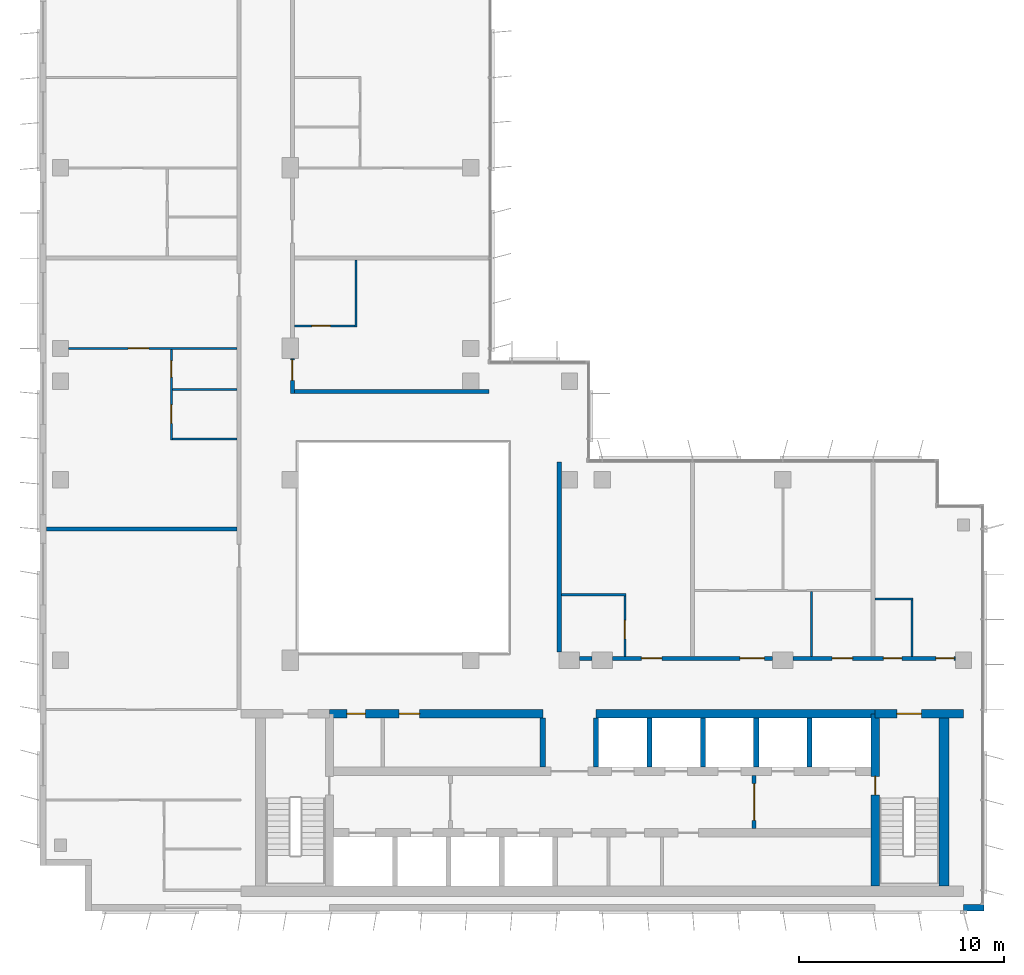
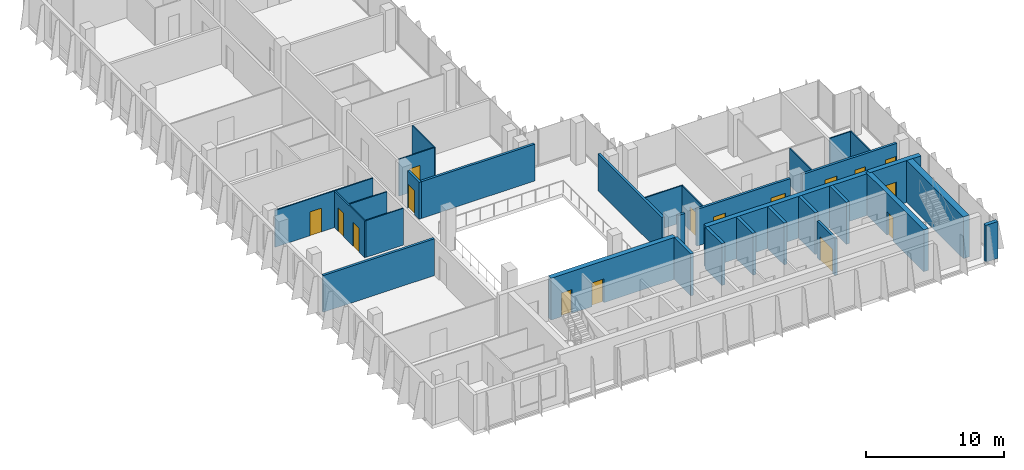
# One storey, part 10 of 15: 31 walls, 16 doors, 16 openings.
"""IFC4 building model written with IfcOpenShell, lengths in metres."""

from ifc_helpers import new_model, si_unit, direction, frame, frame_2d, origin, place, context, subcontext, project, spatial, rectangle, extrude, material, layer, layer_set, type_object, element, fill, save


model = new_model("IFC4")

# Units and contexts
model_context = context("Model", 3, precision=1e-05, world=origin(), true_north=direction((0.0, 1.0)))
body_context = subcontext(model_context, "Body", "Model", "MODEL_VIEW")
ifc_project = project(units=[si_unit("LENGTHUNIT", "METRE"), si_unit("AREAUNIT", "SQUARE_METRE"), si_unit("VOLUMEUNIT", "CUBIC_METRE"), si_unit("PLANEANGLEUNIT", "RADIAN"), si_unit("MASSUNIT", "GRAM", prefix="KILO")], contexts=[model_context])

# Site, building, storey
site_placement = place(None, origin())
site = spatial("IfcSite", under=ifc_project, at=site_placement, CompositionType="ELEMENT")
building_placement = place(site_placement, origin())
building = spatial("IfcBuilding", under=site, at=building_placement, Name="Kemantara Hotel Tower", CompositionType="ELEMENT")
storey_placement = place(building_placement, frame((0.0, 0.0, 305.5)))
storey = spatial("IfcBuildingStorey", under=building, at=storey_placement, Name="L77", CompositionType="ELEMENT", Elevation=305.5)

# Walls
ifc_material_1 = material(Name="Bronze anodised aluminium cladding on insulated steel stud wall", Category="steel")
ifc_layer_1 = layer(ifc_material_1, 0.300048828125)
ifc_layer_set_1 = layer_set([ifc_layer_1], Name="Bronze anodised aluminium cladding on insulated steel stud wall")
wall_type_1 = type_object("IfcWallType", Name="BRONZE METAL-CLAD EXTERNAL WALL 300", PredefinedType="STANDARD", material=ifc_layer_set_1)
wall_1_placement = place(storey_placement, frame((45.0, 0.14990234375, 0.0), z_axis=(0.0, 0.0, 1.0), x_axis=(1.0, 0.0, 0.0)))
element("IfcWall", 1, at=wall_1_placement, inside=storey, type_object=wall_type_1, Name="EXTERNAL WALL L77 T4-R08-3", PredefinedType="STANDARD", context=body_context, shape_type="SweptSolid", body=[
    extrude(rectangle(XDim=1.0, YDim=0.300048828125, at=frame_2d((0.5, 0.0))), origin(), (0.0, 0.0, 1.0), 3.25),
])
ifc_material_2 = material(Name="Concrete fc 50 MPa", Category="concrete")
ifc_layer_2 = layer(ifc_material_2, 0.25)
ifc_layer_set_2 = layer_set([ifc_layer_2], Name="Concrete fc 50 MPa")
wall_type_2 = type_object("IfcWallType", Name="CORE WALL 250 FC50", PredefinedType="SHEAR", material=ifc_layer_set_2)
for number, where, z_axis, x_axis, name in (
    (2, (24.5, 7.0, 0.0), (0.0, 0.0, 1.0), (0.0, 1.0, 0.0), "CORE WALL CW-DN24.5"),
    (3, (27.10009765625, 7.0, 0.0), (0.0, 0.0, 1.0), (0.0, 1.0, 0.0), "CORE WALL CW-DN27.1"),
    (4, (29.699951171875, 7.0, 0.0), (0.0, 0.0, 1.0), (0.0, 1.0, 0.0), "CORE WALL CW-DN29.7"),
    (5, (32.300048828125, 7.0, 0.0), (0.0, 0.0, 1.0), (0.0, 1.0, 0.0), "CORE WALL CW-DN32.3"),
    (6, (34.89990234375, 7.0, 0.0), (0.0, 0.0, 1.0), (0.0, 1.0, 0.0), "CORE WALL CW-DN34.9"),
    (7, (37.5, 7.0, 0.0), (0.0, 0.0, 1.0), (0.0, 1.0, 0.0), "CORE WALL CW-DN37.5"),
):
    element("IfcWall", number, at=place(storey_placement, frame(where, z_axis=z_axis, x_axis=x_axis)), inside=storey, type_object=wall_type_2, Name=name, PredefinedType="SHEAR", context=body_context, shape_type="SweptSolid", body=[
        extrude(rectangle(XDim=2.39990234375, YDim=0.25, at=frame_2d((1.199951171875, 0.0))), origin(), (0.0, 0.0, 1.0), 3.699951171875),
    ])

# Wall, opening, door
ifc_layer_3 = layer(ifc_material_2, 0.39990234375)
ifc_layer_set_3 = layer_set([ifc_layer_3], Name="Concrete fc 50 MPa")
wall_type_3 = type_object("IfcWallType", Name="CORE WALL 400 FC50", PredefinedType="SHEAR", material=ifc_layer_set_3)
wall_2_placement = place(storey_placement, frame((40.699951171875, 9.60009765625, 0.0), z_axis=(0.0, 0.0, 1.0), x_axis=(1.0, 0.0, 0.0)))
wall_2 = element("IfcWall", 8, at=wall_2_placement, inside=storey, type_object=wall_type_3, Name="CORE WALL CW-N2", PredefinedType="SHEAR", context=body_context, shape_type="SweptSolid", body=[
    extrude(rectangle(XDim=4.300048828125, YDim=0.39990234375, at=frame_2d((2.14990234375, 0.0))), origin(), (0.0, 0.0, 1.0), 3.699951171875),
])
opening_1_placement = place(wall_2_placement, frame((1.050048828125, 0.0, 0.0)))
opening_1 = element("IfcOpeningElement", 9, at=opening_1_placement, cuts=wall_2, Name="Opening C43-ST2-C", PredefinedType="OPENING", context=body_context, shape_type="SweptSolid", body=[
    extrude(rectangle(XDim=1.199951171875, YDim=2.10009765625, at=frame_2d((0.60009765625, 1.050048828125))), frame((0.0, 0.2099609375, 0.0), z_axis=(0.0, -1.0, 0.0), x_axis=(1.0, 0.0, 0.0)), (0.0, 0.0, 1.0), 0.419921875),
])
ifc_material_3 = material(Name="Steel fire door", Category="steel")
door_type_1 = type_object("IfcDoorType", Name="Fire door FD90 1200 x 2100", OperationType="NOTDEFINED", PredefinedType="DOOR", material=ifc_material_3)
door_1_placement = place(opening_1_placement, frame((1.199951171875, 0.0, 0.0), z_axis=(0.0, 0.0, 1.0), x_axis=(-1.0, 0.0, 0.0)))
door_1 = element("IfcDoor", 10, at=door_1_placement, inside=storey, type_object=door_type_1, Name="Stair ST2 door to corridor", OperationType="SINGLE_SWING_RIGHT", OverallHeight=2.10009765625, OverallWidth=1.199951171875, PredefinedType="DOOR", context=body_context, shape_type="SweptSolid", body=[
    extrude(rectangle(XDim=1.199951171875, YDim=2.10009765625, at=frame_2d((0.60009765625, 1.050048828125))), frame((0.0, 0.02490234375, 0.0), z_axis=(0.0, -1.0, 0.0), x_axis=(1.0, 0.0, 0.0)), (0.0, 0.0, 1.0), 0.050048828125),
])
fill(opening_1, door_1)

# Wall, openings, doors
wall_3_placement = place(storey_placement, frame((14.10009765625, 9.60009765625, 0.0), z_axis=(0.0, 0.0, 1.0), x_axis=(1.0, 0.0, 0.0)))
wall_3 = element("IfcWall", 11, at=wall_3_placement, inside=storey, type_object=wall_type_3, Name="CORE WALL CW-NN1", PredefinedType="SHEAR", context=body_context, shape_type="SweptSolid", body=[
    extrude(rectangle(XDim=10.39990234375, YDim=0.39990234375, at=frame_2d((5.199951171875, 0.0))), origin(), (0.0, 0.0, 1.0), 3.699951171875),
])
opening_2_placement = place(wall_3_placement, frame((0.85009765625, 0.0, 0.0)))
opening_2 = element("IfcOpeningElement", 12, at=opening_2_placement, cuts=wall_3, Name="Opening C43-R-NW1", PredefinedType="OPENING", context=body_context, shape_type="SweptSolid", body=[
    extrude(rectangle(XDim=0.89990234375, YDim=2.10009765625, at=frame_2d((0.449951171875, 1.050048828125))), frame((0.0, 0.2099609375, 0.0), z_axis=(0.0, -1.0, 0.0), x_axis=(1.0, 0.0, 0.0)), (0.0, 0.0, 1.0), 0.419921875),
])
opening_3_placement = place(wall_3_placement, frame((3.39990234375, 0.0, 0.0)))
opening_3 = element("IfcOpeningElement", 13, at=opening_3_placement, cuts=wall_3, Name="Opening C43-R-NW2", PredefinedType="OPENING", context=body_context, shape_type="SweptSolid", body=[
    extrude(rectangle(XDim=1.0, YDim=2.10009765625, at=frame_2d((0.5, 1.050048828125))), frame((0.0, 0.2099609375, 0.0), z_axis=(0.0, -1.0, 0.0), x_axis=(1.0, 0.0, 0.0)), (0.0, 0.0, 1.0), 0.419921875),
])
door_type_2 = type_object("IfcDoorType", Name="Fire door FD30S 1000 x 2100", OperationType="NOTDEFINED", PredefinedType="DOOR", material=ifc_material_3)
door_2_placement = place(opening_3_placement, frame((1.0, 0.0, 0.0), z_axis=(0.0, 0.0, 1.0), x_axis=(-1.0, 0.0, 0.0)))
door_2 = element("IfcDoor", 14, at=door_2_placement, inside=storey, type_object=door_type_2, Name="Housekeeping Store door", OperationType="SINGLE_SWING_RIGHT", OverallHeight=2.10009765625, OverallWidth=1.0, PredefinedType="DOOR", context=body_context, shape_type="SweptSolid", body=[
    extrude(rectangle(XDim=1.0, YDim=2.10009765625, at=frame_2d((0.5, 1.050048828125))), frame((0.0, 0.02490234375, 0.0), z_axis=(0.0, -1.0, 0.0), x_axis=(1.0, 0.0, 0.0)), (0.0, 0.0, 1.0), 0.050048828125),
])
fill(opening_3, door_2)
door_type_3 = type_object("IfcDoorType", Name="Fire door FD30S 900 x 2100", OperationType="NOTDEFINED", PredefinedType="DOOR", material=ifc_material_3)
door_3_placement = place(opening_2_placement, frame((0.89990234375, 0.0, 0.0), z_axis=(0.0, 0.0, 1.0), x_axis=(-1.0, 0.0, 0.0)))
door_3 = element("IfcDoor", 15, at=door_3_placement, inside=storey, type_object=door_type_3, Name="Staff Wc door", OperationType="SINGLE_SWING_RIGHT", OverallHeight=2.10009765625, OverallWidth=0.89990234375, PredefinedType="DOOR", context=body_context, shape_type="SweptSolid", body=[
    extrude(rectangle(XDim=0.89990234375, YDim=2.10009765625, at=frame_2d((0.449951171875, 1.050048828125))), frame((0.0, 0.02490234375, 0.0), z_axis=(0.0, -1.0, 0.0), x_axis=(1.0, 0.0, 0.0)), (0.0, 0.0, 1.0), 0.050048828125),
])
fill(opening_2, door_3)

# Wall
wall_4_placement = place(storey_placement, frame((27.10009765625, 9.60009765625, 0.0), z_axis=(0.0, 0.0, 1.0), x_axis=(1.0, 0.0, 0.0)))
element("IfcWall", 16, at=wall_4_placement, inside=storey, type_object=wall_type_3, Name="CORE WALL CW-NN2", PredefinedType="SHEAR", context=body_context, shape_type="SweptSolid", body=[
    extrude(rectangle(XDim=13.599853515625, YDim=0.39990234375, at=frame_2d((6.7998046875, 0.0))), origin(), (0.0, 0.0, 1.0), 3.699951171875),
])

# Wall, opening, door
wall_5_placement = place(storey_placement, frame((40.699951171875, 1.199951171875, 0.0), z_axis=(0.0, 0.0, 1.0), x_axis=(0.0, 1.0, 0.0)))
wall_5 = element("IfcWall", 17, at=wall_5_placement, inside=storey, type_object=wall_type_3, Name="CORE WALL CW-ST2W", PredefinedType="SHEAR", context=body_context, shape_type="SweptSolid", body=[
    extrude(rectangle(XDim=8.400146484375, YDim=0.39990234375, at=frame_2d((4.2001953125, 0.0))), origin(), (0.0, 0.0, 1.0), 3.699951171875),
])
opening_4_placement = place(wall_5_placement, frame((4.449951171875, 0.0, 0.0)))
opening_4 = element("IfcOpeningElement", 18, at=opening_4_placement, cuts=wall_5, Name="Opening C43-ST2-F", PredefinedType="OPENING", context=body_context, shape_type="SweptSolid", body=[
    extrude(rectangle(XDim=0.89990234375, YDim=2.10009765625, at=frame_2d((0.449951171875, 1.050048828125))), frame((0.0, 0.2099609375, 0.0), z_axis=(0.0, -1.0, 0.0), x_axis=(1.0, 0.0, 0.0)), (0.0, 0.0, 1.0), 0.419921875),
])
door_type_4 = type_object("IfcDoorType", Name="Fire door FD90 900 x 2100", OperationType="NOTDEFINED", PredefinedType="DOOR", material=ifc_material_3)
door_4_placement = place(opening_4_placement, frame((0.89990234375, 0.0, 0.0), z_axis=(0.0, 0.0, 1.0), x_axis=(-1.0, 0.0, 0.0)))
door_4 = element("IfcDoor", 19, at=door_4_placement, inside=storey, type_object=door_type_4, Name="Stair ST2 door to firefighting lobby", OperationType="SINGLE_SWING_LEFT", OverallHeight=2.10009765625, OverallWidth=0.89990234375, PredefinedType="DOOR", context=body_context, shape_type="SweptSolid", body=[
    extrude(rectangle(XDim=0.89990234375, YDim=2.10009765625, at=frame_2d((0.449951171875, 1.050048828125))), frame((0.0, 0.02490234375, 0.0), z_axis=(0.0, -1.0, 0.0), x_axis=(1.0, 0.0, 0.0)), (0.0, 0.0, 1.0), 0.050048828125),
])
fill(opening_4, door_4)

# Walls
ifc_layer_4 = layer(ifc_material_2, 0.5)
ifc_layer_set_4 = layer_set([ifc_layer_4], Name="Concrete fc 50 MPa")
wall_type_4 = type_object("IfcWallType", Name="CORE WALL 500 FC50", PredefinedType="SHEAR", material=ifc_layer_set_4)
wall_6_placement = place(storey_placement, frame((44.050048828125, 1.199951171875, 0.0), z_axis=(0.0, 0.0, 1.0), x_axis=(0.0, 1.0, 0.0)))
element("IfcWall", 20, at=wall_6_placement, inside=storey, type_object=wall_type_4, Name="CORE WALL CW-E", PredefinedType="SHEAR", context=body_context, shape_type="SweptSolid", body=[
    extrude(rectangle(XDim=8.60009765625, YDim=0.5, at=frame_2d((4.300048828125, 0.0))), origin(), (0.0, 0.0, 1.0), 3.699951171875),
])
ifc_material_4 = material(Name="Gypsum board partition, steel studs and mineral wool, 200 mm", Category="steel")
ifc_layer_5 = layer(ifc_material_4, 0.199951171875)
ifc_layer_set_5 = layer_set([ifc_layer_5], Name="Gypsum board partition, steel studs and mineral wool, 200 mm")
wall_type_5 = type_object("IfcWallType", Name="CORRIDOR WALL 200", PredefinedType="PARTITIONING", material=ifc_layer_set_5)
wall_7_placement = place(storey_placement, frame((26.300048828125, 12.300048828125, 0.0), z_axis=(0.0, 0.0, 1.0), x_axis=(1.0, 0.0, 0.0)))
element("IfcWall", 21, at=wall_7_placement, inside=storey, type_object=wall_type_5, Name="CORRIDOR WALL 200 001", PredefinedType="PARTITIONING", context=body_context, shape_type="SweptSolid", body=[
    extrude(rectangle(XDim=0.599853515625, YDim=0.199951171875, at=frame_2d((0.2998046875, 0.0))), origin(), (0.0, 0.0, 1.0), 3.25),
])

# Wall, openings, doors
wall_8_placement = place(storey_placement, frame((27.900146484375, 12.300048828125, 0.0), z_axis=(0.0, 0.0, 1.0), x_axis=(1.0, 0.0, 0.0)))
wall_8 = element("IfcWall", 22, at=wall_8_placement, inside=storey, type_object=wall_type_5, Name="CORRIDOR WALL 200 002", PredefinedType="PARTITIONING", context=body_context, shape_type="SweptSolid", body=[
    extrude(rectangle(XDim=7.7998046875, YDim=0.199951171875, at=frame_2d((3.89990234375, 0.0))), origin(), (0.0, 0.0, 1.0), 3.25),
])
opening_5_placement = place(wall_8_placement, frame((1.39990234375, 0.0, 0.0)))
opening_5 = element("IfcOpeningElement", 23, at=opening_5_placement, cuts=wall_8, Name="Opening F38-001", PredefinedType="OPENING", context=body_context, shape_type="SweptSolid", body=[
    extrude(rectangle(XDim=1.0, YDim=2.10009765625, at=frame_2d((0.5, 1.050048828125))), frame((0.0, 0.10986328125, 0.0), z_axis=(0.0, -1.0, 0.0), x_axis=(1.0, 0.0, 0.0)), (0.0, 0.0, 1.0), 0.219970703125),
])
opening_6_placement = place(wall_8_placement, frame((6.199951171875, 0.0, 0.0)))
opening_6 = element("IfcOpeningElement", 24, at=opening_6_placement, cuts=wall_8, Name="Opening F38-004", PredefinedType="OPENING", context=body_context, shape_type="SweptSolid", body=[
    extrude(rectangle(XDim=1.199951171875, YDim=2.10009765625, at=frame_2d((0.60009765625, 1.050048828125))), frame((0.0, 0.10986328125, 0.0), z_axis=(0.0, -1.0, 0.0), x_axis=(1.0, 0.0, 0.0)), (0.0, 0.0, 1.0), 0.219970703125),
])
ifc_material_5 = material(Name="Hardwood veneer door leaf with steel frame", Category="steel")
door_type_5 = type_object("IfcDoorType", Name="GUEST ROOM DOOR 1000 X 2100 FD30S", OperationType="NOTDEFINED", PredefinedType="DOOR", material=ifc_material_5)
door_5_placement = place(opening_5_placement, origin())
door_5 = element("IfcDoor", 25, at=door_5_placement, inside=storey, type_object=door_type_5, Name="GUEST ROOM DOOR F38-001", OperationType="SINGLE_SWING_RIGHT", OverallHeight=2.10009765625, OverallWidth=1.0, PredefinedType="DOOR", context=body_context, shape_type="SweptSolid", body=[
    extrude(rectangle(XDim=1.0, YDim=2.10009765625, at=frame_2d((0.5, 1.050048828125))), frame((0.0, 0.02490234375, 0.0), z_axis=(0.0, -1.0, 0.0), x_axis=(1.0, 0.0, 0.0)), (0.0, 0.0, 1.0), 0.050048828125),
])
fill(opening_5, door_5)
door_type_6 = type_object("IfcDoorType", Name="GUEST ROOM DOOR 1200 X 2100 FD30S", OperationType="NOTDEFINED", PredefinedType="DOOR", material=ifc_material_5)
door_6_placement = place(opening_6_placement, origin())
door_6 = element("IfcDoor", 26, at=door_6_placement, inside=storey, type_object=door_type_6, Name="GUEST ROOM DOOR F38-004", OperationType="SINGLE_SWING_LEFT", OverallHeight=2.10009765625, OverallWidth=1.199951171875, PredefinedType="DOOR", context=body_context, shape_type="SweptSolid", body=[
    extrude(rectangle(XDim=1.199951171875, YDim=2.10009765625, at=frame_2d((0.60009765625, 1.050048828125))), frame((0.0, 0.02490234375, 0.0), z_axis=(0.0, -1.0, 0.0), x_axis=(1.0, 0.0, 0.0)), (0.0, 0.0, 1.0), 0.050048828125),
])
fill(opening_6, door_6)

wall_9_placement = place(storey_placement, frame((36.7001953125, 12.300048828125, 0.0), z_axis=(0.0, 0.0, 1.0), x_axis=(1.0, 0.0, 0.0)))
wall_9 = element("IfcWall", 27, at=wall_9_placement, inside=storey, type_object=wall_type_5, Name="CORRIDOR WALL 200 003", PredefinedType="PARTITIONING", context=body_context, shape_type="SweptSolid", body=[
    extrude(rectangle(XDim=7.899658203125, YDim=0.199951171875, at=frame_2d((3.94970703125, 0.0))), origin(), (0.0, 0.0, 1.0), 3.25),
])
opening_7_placement = place(wall_9_placement, frame((1.89990234375, 0.0, 0.0)))
opening_7 = element("IfcOpeningElement", 28, at=opening_7_placement, cuts=wall_9, Name="Opening F38-003", PredefinedType="OPENING", context=body_context, shape_type="SweptSolid", body=[
    extrude(rectangle(XDim=1.0, YDim=2.10009765625, at=frame_2d((0.5, 1.050048828125))), frame((0.0, 0.10986328125, 0.0), z_axis=(0.0, -1.0, 0.0), x_axis=(1.0, 0.0, 0.0)), (0.0, 0.0, 1.0), 0.219970703125),
])
opening_8_placement = place(wall_9_placement, frame((6.949951171875, 0.0, 0.0)))
opening_8 = element("IfcOpeningElement", 29, at=opening_8_placement, cuts=wall_9, Name="Opening F38-007", PredefinedType="OPENING", context=body_context, shape_type="SweptSolid", body=[
    extrude(rectangle(XDim=0.89990234375, YDim=2.10009765625, at=frame_2d((0.449951171875, 1.050048828125))), frame((0.0, 0.10986328125, 0.0), z_axis=(0.0, -1.0, 0.0), x_axis=(1.0, 0.0, 0.0)), (0.0, 0.0, 1.0), 0.219970703125),
])
opening_9_placement = place(wall_9_placement, frame((4.39990234375, 0.0, 0.0)))
opening_9 = element("IfcOpeningElement", 30, at=opening_9_placement, cuts=wall_9, Name="Opening F38-008", PredefinedType="OPENING", context=body_context, shape_type="SweptSolid", body=[
    extrude(rectangle(XDim=0.89990234375, YDim=2.10009765625, at=frame_2d((0.449951171875, 1.050048828125))), frame((0.0, 0.10986328125, 0.0), z_axis=(0.0, -1.0, 0.0), x_axis=(1.0, 0.0, 0.0)), (0.0, 0.0, 1.0), 0.219970703125),
])
ifc_material_6 = material(Name="Steel door leaf with steel frame", Category="steel")
door_type_7 = type_object("IfcDoorType", Name="SERVICE ROOM DOOR 1000 X 2100 FD60", OperationType="NOTDEFINED", PredefinedType="DOOR", material=ifc_material_6)
door_7_placement = place(opening_7_placement, origin())
door_7 = element("IfcDoor", 31, at=door_7_placement, inside=storey, type_object=door_type_7, Name="SERVICE ROOM DOOR F38-003", OperationType="SINGLE_SWING_RIGHT", OverallHeight=2.10009765625, OverallWidth=1.0, PredefinedType="DOOR", context=body_context, shape_type="SweptSolid", body=[
    extrude(rectangle(XDim=1.0, YDim=2.10009765625, at=frame_2d((0.5, 1.050048828125))), frame((0.0, 0.02490234375, 0.0), z_axis=(0.0, -1.0, 0.0), x_axis=(1.0, 0.0, 0.0)), (0.0, 0.0, 1.0), 0.050048828125),
])
fill(opening_7, door_7)
door_type_8 = type_object("IfcDoorType", Name="SERVICE ROOM DOOR 900 X 2100 FD60", OperationType="NOTDEFINED", PredefinedType="DOOR", material=ifc_material_6)
door_8_placement = place(opening_8_placement, origin())
door_8 = element("IfcDoor", 32, at=door_8_placement, inside=storey, type_object=door_type_8, Name="SERVICE ROOM DOOR F38-007", OperationType="SINGLE_SWING_RIGHT", OverallHeight=2.10009765625, OverallWidth=0.89990234375, PredefinedType="DOOR", context=body_context, shape_type="SweptSolid", body=[
    extrude(rectangle(XDim=0.89990234375, YDim=2.10009765625, at=frame_2d((0.449951171875, 1.050048828125))), frame((0.0, 0.02490234375, 0.0), z_axis=(0.0, -1.0, 0.0), x_axis=(1.0, 0.0, 0.0)), (0.0, 0.0, 1.0), 0.050048828125),
])
fill(opening_8, door_8)
door_9_placement = place(opening_9_placement, origin())
door_9 = element("IfcDoor", 33, at=door_9_placement, inside=storey, type_object=door_type_8, Name="SERVICE ROOM DOOR F38-008", OperationType="SINGLE_SWING_LEFT", OverallHeight=2.10009765625, OverallWidth=0.89990234375, PredefinedType="DOOR", context=body_context, shape_type="SweptSolid", body=[
    extrude(rectangle(XDim=0.89990234375, YDim=2.10009765625, at=frame_2d((0.449951171875, 1.050048828125))), frame((0.0, 0.02490234375, 0.0), z_axis=(0.0, -1.0, 0.0), x_axis=(1.0, 0.0, 0.0)), (0.0, 0.0, 1.0), 0.050048828125),
])
fill(opening_9, door_9)

# Wall, opening, door
wall_10_placement = place(storey_placement, frame((12.300048828125, 26.89990234375, 0.0), z_axis=(0.0, 0.0, 1.0), x_axis=(0.0, -1.0, 0.0)))
wall_10 = element("IfcWall", 34, at=wall_10_placement, inside=storey, type_object=wall_type_5, Name="CORRIDOR WALL 200 013", PredefinedType="PARTITIONING", context=body_context, shape_type="SweptSolid", body=[
    extrude(rectangle(XDim=1.699951171875, YDim=0.199951171875, at=frame_2d((0.85009765625, 0.0))), origin(), (0.0, 0.0, 1.0), 3.25),
])
opening_10_placement = place(wall_10_placement, frame((0.0498046875, 0.0, 0.0)))
opening_10 = element("IfcOpeningElement", 35, at=opening_10_placement, cuts=wall_10, Name="Opening F38-025", PredefinedType="OPENING", context=body_context, shape_type="SweptSolid", body=[
    extrude(rectangle(XDim=1.0, YDim=2.10009765625, at=frame_2d((0.5, 1.050048828125))), frame((0.0, 0.10986328125, 0.0), z_axis=(0.0, -1.0, 0.0), x_axis=(1.0, 0.0, 0.0)), (0.0, 0.0, 1.0), 0.219970703125),
])
door_10_placement = place(opening_10_placement, origin())
door_10 = element("IfcDoor", 36, at=door_10_placement, inside=storey, type_object=door_type_5, Name="GUEST ROOM DOOR F38-025", OperationType="SINGLE_SWING_RIGHT", OverallHeight=2.10009765625, OverallWidth=1.0, PredefinedType="DOOR", context=body_context, shape_type="SweptSolid", body=[
    extrude(rectangle(XDim=1.0, YDim=2.10009765625, at=frame_2d((0.5, 1.050048828125))), frame((0.0, 0.02490234375, 0.0), z_axis=(0.0, -1.0, 0.0), x_axis=(1.0, 0.0, 0.0)), (0.0, 0.0, 1.0), 0.050048828125),
])
fill(opening_10, door_10)

# Walls
ifc_layer_6 = layer(ifc_material_4, 0.199951171875)
ifc_layer_set_6 = layer_set([ifc_layer_6], Name="Gypsum board partition, steel studs and mineral wool, 200 mm")
wall_type_6 = type_object("IfcWallType", Name="GUEST ROOM PARTY WALL 200", PredefinedType="PARTITIONING", material=ifc_layer_set_6)
wall_11_placement = place(storey_placement, frame((25.300048828125, 12.60009765625, 0.0), z_axis=(0.0, 0.0, 1.0), x_axis=(0.0, 1.0, 0.0)))
element("IfcWall", 37, at=wall_11_placement, inside=storey, type_object=wall_type_6, Name="GUEST ROOM PARTY WALL 200 004", PredefinedType="PARTITIONING", context=body_context, shape_type="SweptSolid", body=[
    extrude(rectangle(XDim=9.27001953125, YDim=0.199951171875, at=frame_2d((4.635009765625, 0.0))), origin(), (0.0, 0.0, 1.0), 3.25),
])
wall_12_placement = place(storey_placement, frame((0.31005859375, 18.60009765625, 0.0), z_axis=(0.0, 0.0, 1.0), x_axis=(1.0, 0.0, 0.0)))
element("IfcWall", 38, at=wall_12_placement, inside=storey, type_object=wall_type_6, Name="GUEST ROOM PARTY WALL 200 009", PredefinedType="PARTITIONING", context=body_context, shape_type="SweptSolid", body=[
    extrude(rectangle(XDim=9.2900390625, YDim=0.199951171875, at=frame_2d((4.64501953125, 0.0))), origin(), (0.0, 0.0, 1.0), 3.25),
])
wall_13_placement = place(storey_placement, frame((12.39990234375, 25.300048828125, 0.0), z_axis=(0.0, 0.0, 1.0), x_axis=(1.0, 0.0, 0.0)))
element("IfcWall", 39, at=wall_13_placement, inside=storey, type_object=wall_type_6, Name="GUEST ROOM PARTY WALL 200 018", PredefinedType="PARTITIONING", context=body_context, shape_type="SweptSolid", body=[
    extrude(rectangle(XDim=9.47021484375, YDim=0.199951171875, at=frame_2d((4.735107421875, 0.0))), origin(), (0.0, 0.0, 1.0), 3.25),
])

# Wall, opening, door
ifc_material_7 = material(Name="Gypsum board shaft wall")
ifc_layer_7 = layer(ifc_material_7, 0.199951171875)
ifc_layer_set_7 = layer_set([ifc_layer_7], Name="Gypsum board shaft wall")
wall_type_7 = type_object("IfcWallType", Name="Gypsum board shaft wall 200 mm", PredefinedType="PARTITIONING", material=ifc_layer_set_7)
wall_14_placement = place(storey_placement, frame((34.800048828125, 4.0, 0.0), z_axis=(0.0, 0.0, 1.0), x_axis=(0.0, 1.0, 0.0)))
wall_14 = element("IfcWall", 40, at=wall_14_placement, inside=storey, type_object=wall_type_7, Name="Firefighting lobby partition east", PredefinedType="PARTITIONING", context=body_context, shape_type="SweptSolid", body=[
    extrude(rectangle(XDim=2.60009765625, YDim=0.199951171875, at=frame_2d((1.300048828125, 0.0))), origin(), (0.0, 0.0, 1.0), 3.25),
])
opening_11_placement = place(wall_14_placement, frame((0.39990234375, 0.0, 0.0)))
opening_11 = element("IfcOpeningElement", 41, at=opening_11_placement, cuts=wall_14, Name="Opening C43-FFE", PredefinedType="OPENING", context=body_context, shape_type="SweptSolid", body=[
    extrude(rectangle(XDim=1.800048828125, YDim=2.10009765625, at=frame_2d((0.89990234375, 1.050048828125))), frame((0.0, 0.10986328125, 0.0), z_axis=(0.0, -1.0, 0.0), x_axis=(1.0, 0.0, 0.0)), (0.0, 0.0, 1.0), 0.219970703125),
])
door_type_9 = type_object("IfcDoorType", Name="Fire door pair FD60 1800 x 2100", OperationType="DOUBLE_DOOR_SINGLE_SWING", PredefinedType="DOOR", material=ifc_material_3)
door_11_placement = place(opening_11_placement, frame((1.800048828125, 0.0, 0.0), z_axis=(0.0, 0.0, 1.0), x_axis=(-1.0, 0.0, 0.0)))
door_11 = element("IfcDoor", 42, at=door_11_placement, inside=storey, type_object=door_type_9, Name="Firefighting lobby door east", OperationType="DOUBLE_DOOR_SINGLE_SWING", OverallHeight=2.10009765625, OverallWidth=1.800048828125, PredefinedType="DOOR", context=body_context, shape_type="SweptSolid", body=[
    extrude(rectangle(XDim=1.800048828125, YDim=2.10009765625, at=frame_2d((0.89990234375, 1.050048828125))), frame((0.0, 0.02490234375, 0.0), z_axis=(0.0, -1.0, 0.0), x_axis=(1.0, 0.0, 0.0)), (0.0, 0.0, 1.0), 0.050048828125),
])
fill(opening_11, door_11)

# Wall
ifc_material_8 = material(Name="Gypsum board partition on steel studs, 100 mm", Category="steel")
ifc_layer_8 = layer(ifc_material_8, 0.10009765625)
ifc_layer_set_8 = layer_set([ifc_layer_8], Name="Gypsum board partition on steel studs, 100 mm")
wall_type_8 = type_object("IfcWallType", Name="ROOM PARTITION 100", PredefinedType="PARTITIONING", material=ifc_layer_set_8)
wall_15_placement = place(storey_placement, frame((25.39990234375, 15.39990234375, 0.0), z_axis=(0.0, 0.0, 1.0), x_axis=(1.0, 0.0, 0.0)))
element("IfcWall", 43, at=wall_15_placement, inside=storey, type_object=wall_type_8, Name="ROOM PARTITION 100 020", PredefinedType="PARTITIONING", context=body_context, shape_type="SweptSolid", body=[
    extrude(rectangle(XDim=3.150146484375, YDim=0.10009765625, at=frame_2d((1.5751953125, 0.0))), origin(), (0.0, 0.0, 1.0), 3.25),
])

# Wall, opening, door
wall_16_placement = place(storey_placement, frame((28.5, 12.39990234375, 0.0), z_axis=(0.0, 0.0, 1.0), x_axis=(0.0, 1.0, 0.0)))
wall_16 = element("IfcWall", 44, at=wall_16_placement, inside=storey, type_object=wall_type_8, Name="ROOM PARTITION 100 021", PredefinedType="PARTITIONING", context=body_context, shape_type="SweptSolid", body=[
    extrude(rectangle(XDim=2.9501953125, YDim=0.10009765625, at=frame_2d((1.47509765625, 0.0))), origin(), (0.0, 0.0, 1.0), 3.25),
])
opening_12_placement = place(wall_16_placement, frame((0.85009765625, 0.0, 0.0)))
opening_12 = element("IfcOpeningElement", 45, at=opening_12_placement, cuts=wall_16, Name="Opening F38-002", PredefinedType="OPENING", context=body_context, shape_type="SweptSolid", body=[
    extrude(rectangle(XDim=0.89990234375, YDim=2.10009765625, at=frame_2d((0.449951171875, 1.050048828125))), frame((0.0, 0.06005859375, 0.0), z_axis=(0.0, -1.0, 0.0), x_axis=(1.0, 0.0, 0.0)), (0.0, 0.0, 1.0), 0.1201171875),
])
door_type_10 = type_object("IfcDoorType", Name="BATHROOM DOOR 900 X 2100", OperationType="NOTDEFINED", PredefinedType="DOOR", material=ifc_material_5)
door_12_placement = place(opening_12_placement, origin())
door_12 = element("IfcDoor", 46, at=door_12_placement, inside=storey, type_object=door_type_10, Name="BATHROOM DOOR F38-002", OperationType="SINGLE_SWING_LEFT", OverallHeight=2.10009765625, OverallWidth=0.89990234375, PredefinedType="DOOR", context=body_context, shape_type="SweptSolid", body=[
    extrude(rectangle(XDim=0.89990234375, YDim=2.10009765625, at=frame_2d((0.449951171875, 1.050048828125))), frame((0.0, 0.02490234375, 0.0), z_axis=(0.0, -1.0, 0.0), x_axis=(1.0, 0.0, 0.0)), (0.0, 0.0, 1.0), 0.050048828125),
])
fill(opening_12, door_12)

# Walls
wall_17_placement = place(storey_placement, frame((37.60009765625, 12.39990234375, 0.0), z_axis=(0.0, 0.0, 1.0), x_axis=(0.0, 1.0, 0.0)))
element("IfcWall", 47, at=wall_17_placement, inside=storey, type_object=wall_type_8, Name="ROOM PARTITION 100 023", PredefinedType="PARTITIONING", context=body_context, shape_type="SweptSolid", body=[
    extrude(rectangle(XDim=3.150146484375, YDim=0.10009765625, at=frame_2d((1.5751953125, 0.0))), origin(), (0.0, 0.0, 1.0), 3.25),
])
wall_18_placement = place(storey_placement, frame((40.699951171875, 15.199951171875, 0.0), z_axis=(0.0, 0.0, 1.0), x_axis=(1.0, 0.0, 0.0)))
element("IfcWall", 48, at=wall_18_placement, inside=storey, type_object=wall_type_8, Name="ROOM PARTITION 100 025", PredefinedType="PARTITIONING", context=body_context, shape_type="SweptSolid", body=[
    extrude(rectangle(XDim=1.85009765625, YDim=0.10009765625, at=frame_2d((0.925048828125, 0.0))), origin(), (0.0, 0.0, 1.0), 3.25),
])
wall_19_placement = place(storey_placement, frame((42.5, 12.39990234375, 0.0), z_axis=(0.0, 0.0, 1.0), x_axis=(0.0, 1.0, 0.0)))
element("IfcWall", 49, at=wall_19_placement, inside=storey, type_object=wall_type_8, Name="ROOM PARTITION 100 026", PredefinedType="PARTITIONING", context=body_context, shape_type="SweptSolid", body=[
    extrude(rectangle(XDim=2.75, YDim=0.10009765625, at=frame_2d((1.375, 0.0))), origin(), (0.0, 0.0, 1.0), 3.25),
])

# Wall, openings, doors
wall_20_placement = place(storey_placement, frame((6.39990234375, 27.35009765625, 0.0), z_axis=(0.0, 0.0, 1.0), x_axis=(0.0, -1.0, 0.0)))
wall_20 = element("IfcWall", 50, at=wall_20_placement, inside=storey, type_object=wall_type_8, Name="ROOM PARTITION 100 032", PredefinedType="PARTITIONING", context=body_context, shape_type="SweptSolid", body=[
    extrude(rectangle(XDim=4.400146484375, YDim=0.10009765625, at=frame_2d((2.2001953125, 0.0))), origin(), (0.0, 0.0, 1.0), 3.25),
])
opening_13_placement = place(wall_20_placement, frame((2.699951171875, 0.0, 0.0)))
opening_13 = element("IfcOpeningElement", 51, at=opening_13_placement, cuts=wall_20, Name="Opening F38-016", PredefinedType="OPENING", context=body_context, shape_type="SweptSolid", body=[
    extrude(rectangle(XDim=0.89990234375, YDim=2.10009765625, at=frame_2d((0.449951171875, 1.050048828125))), frame((0.0, 0.06005859375, 0.0), z_axis=(0.0, -1.0, 0.0), x_axis=(1.0, 0.0, 0.0)), (0.0, 0.0, 1.0), 0.1201171875),
])
opening_14_placement = place(wall_20_placement, frame((0.550048828125, 0.0, 0.0)))
opening_14 = element("IfcOpeningElement", 52, at=opening_14_placement, cuts=wall_20, Name="Opening F38-017", PredefinedType="OPENING", context=body_context, shape_type="SweptSolid", body=[
    extrude(rectangle(XDim=0.800048828125, YDim=2.10009765625, at=frame_2d((0.39990234375, 1.050048828125))), frame((0.0, 0.06005859375, 0.0), z_axis=(0.0, -1.0, 0.0), x_axis=(1.0, 0.0, 0.0)), (0.0, 0.0, 1.0), 0.1201171875),
])
door_13_placement = place(opening_13_placement, origin())
door_13 = element("IfcDoor", 53, at=door_13_placement, inside=storey, type_object=door_type_10, Name="BATHROOM DOOR F38-016", OperationType="SINGLE_SWING_LEFT", OverallHeight=2.10009765625, OverallWidth=0.89990234375, PredefinedType="DOOR", context=body_context, shape_type="SweptSolid", body=[
    extrude(rectangle(XDim=0.89990234375, YDim=2.10009765625, at=frame_2d((0.449951171875, 1.050048828125))), frame((0.0, 0.02490234375, 0.0), z_axis=(0.0, -1.0, 0.0), x_axis=(1.0, 0.0, 0.0)), (0.0, 0.0, 1.0), 0.050048828125),
])
fill(opening_13, door_13)
door_type_11 = type_object("IfcDoorType", Name="WARDROBE DOOR 800 X 2100", OperationType="NOTDEFINED", PredefinedType="DOOR", material=ifc_material_5)
door_14_placement = place(opening_14_placement, origin())
door_14 = element("IfcDoor", 54, at=door_14_placement, inside=storey, type_object=door_type_11, Name="WARDROBE DOOR F38-017", OperationType="SINGLE_SWING_LEFT", OverallHeight=2.10009765625, OverallWidth=0.800048828125, PredefinedType="DOOR", context=body_context, shape_type="SweptSolid", body=[
    extrude(rectangle(XDim=0.800048828125, YDim=2.10009765625, at=frame_2d((0.39990234375, 1.050048828125))), frame((0.0, 0.02490234375, 0.0), z_axis=(0.0, -1.0, 0.0), x_axis=(1.0, 0.0, 0.0)), (0.0, 0.0, 1.0), 0.050048828125),
])
fill(opening_14, door_14)

# Wall, opening, door
wall_21_placement = place(storey_placement, frame((9.60009765625, 27.39990234375, 0.0), z_axis=(0.0, 0.0, 1.0), x_axis=(-1.0, 0.0, 0.0)))
wall_21 = element("IfcWall", 55, at=wall_21_placement, inside=storey, type_object=wall_type_8, Name="ROOM PARTITION 100 033", PredefinedType="PARTITIONING", context=body_context, shape_type="SweptSolid", body=[
    extrude(rectangle(XDim=8.199951171875, YDim=0.10009765625, at=frame_2d((4.10009765625, 0.0))), origin(), (0.0, 0.0, 1.0), 3.25),
])
opening_15_placement = place(wall_21_placement, frame((4.300048828125, 0.0, 0.0)))
opening_15 = element("IfcOpeningElement", 56, at=opening_15_placement, cuts=wall_21, Name="Opening F38-015", PredefinedType="OPENING", context=body_context, shape_type="SweptSolid", body=[
    extrude(rectangle(XDim=1.0, YDim=2.10009765625, at=frame_2d((0.5, 1.050048828125))), frame((0.0, 0.06005859375, 0.0), z_axis=(0.0, -1.0, 0.0), x_axis=(1.0, 0.0, 0.0)), (0.0, 0.0, 1.0), 0.1201171875),
])
door_type_12 = type_object("IfcDoorType", Name="INTERNAL DOOR 1000 X 2100", OperationType="NOTDEFINED", PredefinedType="DOOR", material=ifc_material_5)
door_15_placement = place(opening_15_placement, origin())
door_15 = element("IfcDoor", 57, at=door_15_placement, inside=storey, type_object=door_type_12, Name="INTERNAL DOOR F38-015", OperationType="SINGLE_SWING_LEFT", OverallHeight=2.10009765625, OverallWidth=1.0, PredefinedType="DOOR", context=body_context, shape_type="SweptSolid", body=[
    extrude(rectangle(XDim=1.0, YDim=2.10009765625, at=frame_2d((0.5, 1.050048828125))), frame((0.0, 0.02490234375, 0.0), z_axis=(0.0, -1.0, 0.0), x_axis=(1.0, 0.0, 0.0)), (0.0, 0.0, 1.0), 0.050048828125),
])
fill(opening_15, door_15)

# Walls
for number, where, z_axis, x_axis, name in (
    (58, (6.449951171875, 23.0, 0.0), (0.0, 0.0, 1.0), (1.0, 0.0, 0.0), "ROOM PARTITION 100 034"),
    (59, (6.449951171875, 25.39990234375, 0.0), (0.0, 0.0, 1.0), (1.0, 0.0, 0.0), "ROOM PARTITION 100 035"),
):
    element("IfcWall", number, at=place(storey_placement, frame(where, z_axis=z_axis, x_axis=x_axis)), inside=storey, type_object=wall_type_8, Name=name, PredefinedType="PARTITIONING", context=body_context, shape_type="SweptSolid", body=[
        extrude(rectangle(XDim=3.150146484375, YDim=0.10009765625, at=frame_2d((1.5751953125, 0.0))), origin(), (0.0, 0.0, 1.0), 3.25),
    ])
wall_22_placement = place(storey_placement, frame((15.39990234375, 28.449951171875, 0.0), z_axis=(0.0, 0.0, 1.0), x_axis=(0.0, 1.0, 0.0)))
element("IfcWall", 60, at=wall_22_placement, inside=storey, type_object=wall_type_8, Name="ROOM PARTITION 100 045", PredefinedType="PARTITIONING", context=body_context, shape_type="SweptSolid", body=[
    extrude(rectangle(XDim=3.25, YDim=0.10009765625, at=frame_2d((1.625, 0.0))), origin(), (0.0, 0.0, 1.0), 3.25),
])

# Wall, opening, door
wall_23_placement = place(storey_placement, frame((12.39990234375, 28.5, 0.0), z_axis=(0.0, 0.0, 1.0), x_axis=(1.0, 0.0, 0.0)))
wall_23 = element("IfcWall", 61, at=wall_23_placement, inside=storey, type_object=wall_type_8, Name="ROOM PARTITION 100 046", PredefinedType="PARTITIONING", context=body_context, shape_type="SweptSolid", body=[
    extrude(rectangle(XDim=2.9501953125, YDim=0.10009765625, at=frame_2d((1.47509765625, 0.0))), origin(), (0.0, 0.0, 1.0), 3.25),
])
opening_16_placement = place(wall_23_placement, frame((0.85009765625, 0.0, 0.0)))
opening_16 = element("IfcOpeningElement", 62, at=opening_16_placement, cuts=wall_23, Name="Opening F38-026", PredefinedType="OPENING", context=body_context, shape_type="SweptSolid", body=[
    extrude(rectangle(XDim=0.89990234375, YDim=2.10009765625, at=frame_2d((0.449951171875, 1.050048828125))), frame((0.0, 0.06005859375, 0.0), z_axis=(0.0, -1.0, 0.0), x_axis=(1.0, 0.0, 0.0)), (0.0, 0.0, 1.0), 0.1201171875),
])
door_16_placement = place(opening_16_placement, origin())
door_16 = element("IfcDoor", 63, at=door_16_placement, inside=storey, type_object=door_type_10, Name="BATHROOM DOOR F38-026", OperationType="SINGLE_SWING_LEFT", OverallHeight=2.10009765625, OverallWidth=0.89990234375, PredefinedType="DOOR", context=body_context, shape_type="SweptSolid", body=[
    extrude(rectangle(XDim=0.89990234375, YDim=2.10009765625, at=frame_2d((0.449951171875, 1.050048828125))), frame((0.0, 0.02490234375, 0.0), z_axis=(0.0, -1.0, 0.0), x_axis=(1.0, 0.0, 0.0)), (0.0, 0.0, 1.0), 0.050048828125),
])
fill(opening_16, door_16)

save(model, "model.ifc")
